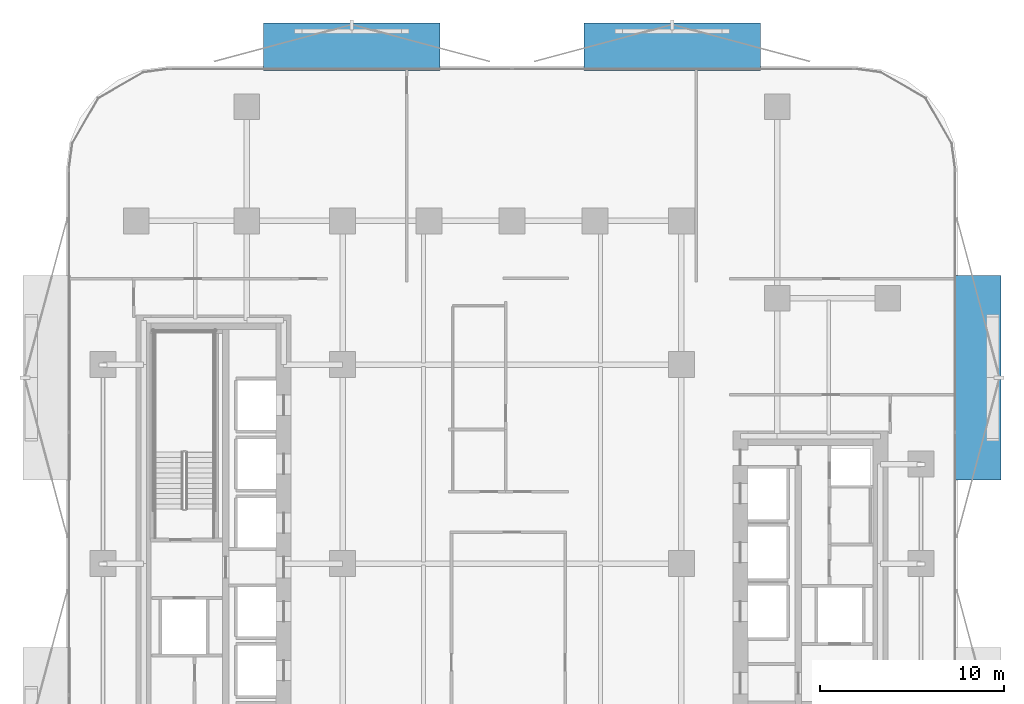
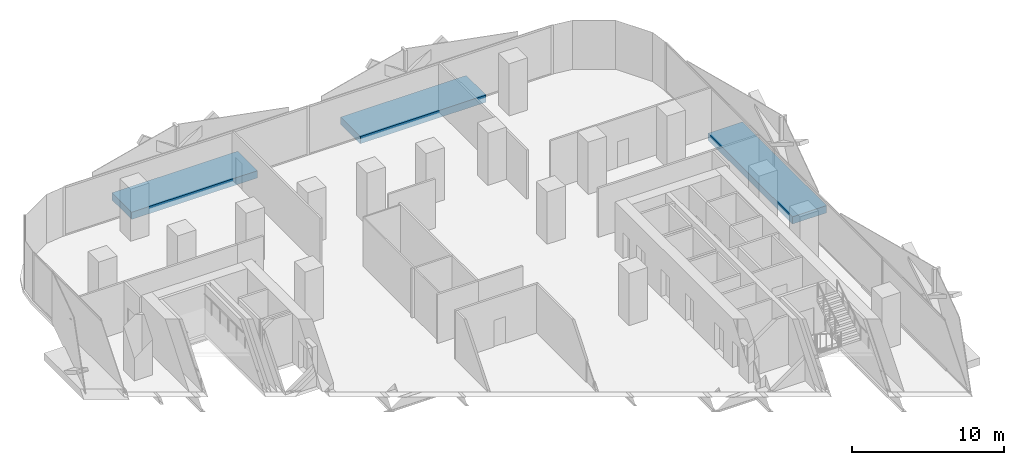
# One storey, part 7 of 16: 3 discrete accessories.
"""IFC4 building model written with IfcOpenShell, lengths in metres."""

from ifc_helpers import new_model, si_unit, direction, frame, origin, origin_2d, place, context, subcontext, project, spatial, rectangle, extrude, material, type_object, element, save


model = new_model("IFC4")

# Units and contexts
model_context = context("Model", 3, precision=1e-05, world=origin(), true_north=direction((0.0, 1.0)))
body_context = subcontext(model_context, "Body", "Model", "MODEL_VIEW")
ifc_project = project(units=[si_unit("LENGTHUNIT", "METRE"), si_unit("AREAUNIT", "SQUARE_METRE"), si_unit("VOLUMEUNIT", "CUBIC_METRE"), si_unit("PLANEANGLEUNIT", "RADIAN"), si_unit("MASSUNIT", "GRAM", prefix="KILO")], contexts=[model_context])

# Site, building, storey
site_placement = place(None, origin())
site = spatial("IfcSite", under=ifc_project, at=site_placement, CompositionType="ELEMENT")
building_placement = place(site_placement, origin())
building = spatial("IfcBuilding", under=site, at=building_placement, Name="Khairoan Windgate Tower", CompositionType="ELEMENT")
storey_placement = place(building_placement, frame((0.0, 0.0, 42.800048828125)))
storey = spatial("IfcBuildingStorey", under=building, at=storey_placement, Name="L10", CompositionType="ELEMENT", Elevation=42.800048828125)

# Discrete accessories
ifc_material = material(Name="Steel S355", Category="steel")
discrete_accessory_type = type_object("IfcDiscreteAccessoryType", Name="Solar Screen Outrigger Slab Bracket SSB-1", PredefinedType="BRACKET", material=ifc_material)
for number, where, z_axis, x_axis, name in (
    (1, (-8.6953125, 28.06005859375, -0.420166015625), (0.0, 0.0, 1.0), (1.0, 0.0, 0.0), "L10 Solar Screen Outrigger Bracket 37"),
    (2, (8.6953125, 28.06005859375, -0.420166015625), (0.0, 0.0, 1.0), (1.0, 0.0, 0.0), "L10 Solar Screen Outrigger Bracket 38"),
):
    element("IfcDiscreteAccessory", number, at=place(storey_placement, frame(where, z_axis=z_axis, x_axis=x_axis)), inside=storey, type_object=discrete_accessory_type, Name=name, PredefinedType="BRACKET", context=body_context, shape_type="SweptSolid", body=[
        extrude(rectangle(XDim=9.56494140625, YDim=2.60009765625, at=origin_2d()), origin(), (0.0, 0.0, 1.0), 0.580078125),
    ])
discrete_accessory_placement = place(storey_placement, frame((25.260009765625, 10.095458984375, -0.420166015625), z_axis=(0.0, 0.0, 1.0), x_axis=(0.0, -1.0, 0.0)))
element("IfcDiscreteAccessory", 3, at=discrete_accessory_placement, inside=storey, type_object=discrete_accessory_type, Name="L10 Solar Screen Outrigger Bracket 39", PredefinedType="BRACKET", context=body_context, shape_type="SweptSolid", body=[
    extrude(rectangle(XDim=11.10498046875, YDim=2.60009765625, at=origin_2d()), origin(), (0.0, 0.0, 1.0), 0.580078125),
])

save(model, "model.ifc")
